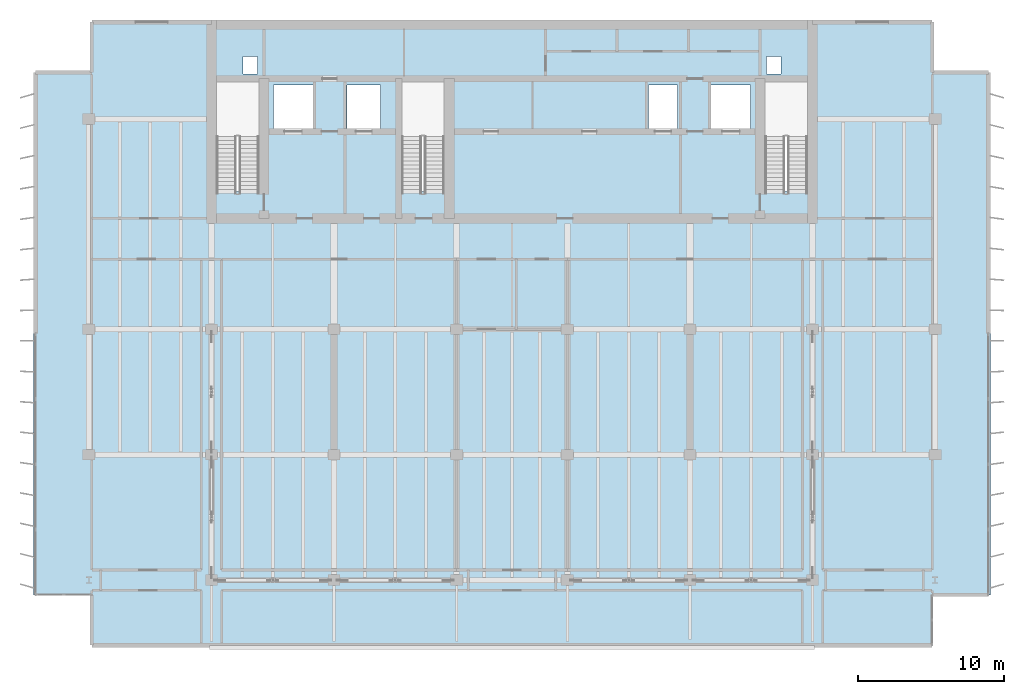
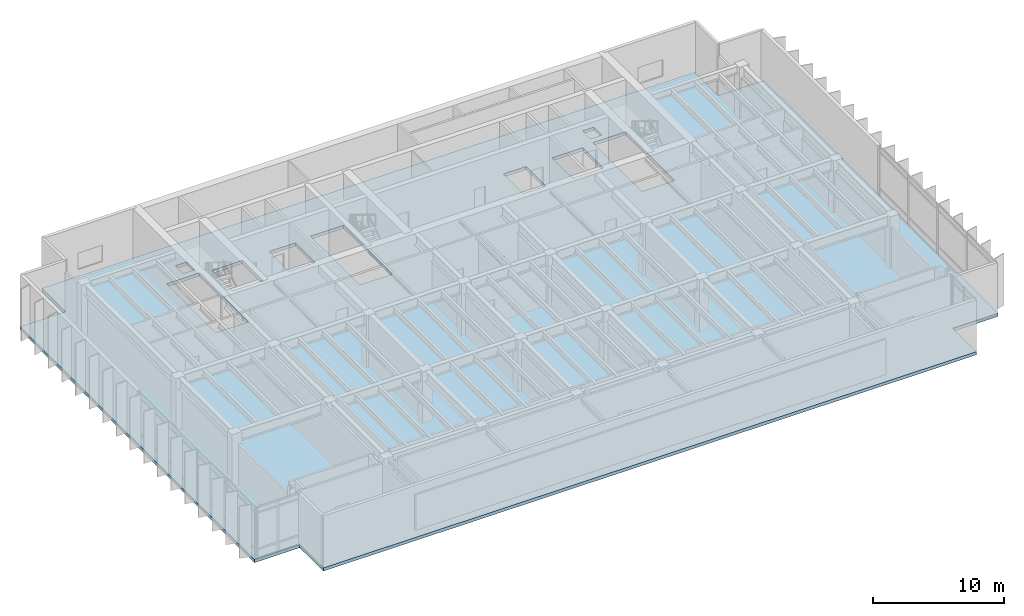
# One storey, part 12 of 23: 1 slab.
"""IFC4 building model written with IfcOpenShell, lengths in metres."""

from ifc_helpers import new_model, si_unit, direction, frame, origin, place, context, subcontext, project, spatial, polyline, outline, extrude, material, layer, layer_set, type_object, element, save


model = new_model("IFC4")

# Units and contexts
model_context = context("Model", 3, precision=1e-05, world=origin(), true_north=direction((0.0, 1.0)))
body_context = subcontext(model_context, "Body", "Model", "MODEL_VIEW")
ifc_project = project(units=[si_unit("LENGTHUNIT", "METRE"), si_unit("AREAUNIT", "SQUARE_METRE"), si_unit("VOLUMEUNIT", "CUBIC_METRE"), si_unit("PLANEANGLEUNIT", "RADIAN"), si_unit("MASSUNIT", "GRAM", prefix="KILO")], contexts=[model_context])

# Site, building, storey
site_placement = place(None, origin())
site = spatial("IfcSite", under=ifc_project, at=site_placement, CompositionType="ELEMENT")
building_placement = place(site_placement, origin())
building = spatial("IfcBuilding", under=site, at=building_placement, Name="Caelmar Bay Residences", CompositionType="ELEMENT")
storey_placement = place(building_placement, frame((0.0, 0.0, 221.39990234375)))
storey = spatial("IfcBuildingStorey", under=building, at=storey_placement, Name="L62", CompositionType="ELEMENT", Elevation=221.39990234375)

# Slab
ifc_material = material(Name="Concrete f'c 40 MPa (6,000 psi)", Category="concrete")
ifc_layer = layer(ifc_material, 0.300048828125)
ifc_layer_set = layer_set([ifc_layer], Name="Concrete f'c 40 MPa (6,000 psi)")
slab_type = type_object("IfcSlabType", Name="SLB-POD-300", PredefinedType="FLOOR", material=ifc_layer_set)
slab_placement = place(storey_placement, frame((0.0, 0.0, -0.2998046875)))
element("IfcSlab", 1, at=slab_placement, inside=storey, type_object=slab_type, Name="L62 Structural Floor Slab", PredefinedType="FLOOR", context=body_context, shape_type="SweptSolid", body=[
    extrude(outline(polyline([(10.10009765625, 7.60009765625), (67.699951171875, 7.60009765625), (67.699951171875, 11.199951171875), (71.699951171875, 11.199951171875), (71.699951171875, 47.0), (67.699951171875, 47.0), (67.699951171875, 50.60009765625), (10.10009765625, 50.60009765625), (10.10009765625, 47.0), (6.10009765625, 47.0), (6.10009765625, 11.199951171875), (10.10009765625, 11.199951171875), (10.10009765625, 7.60009765625)]), holes=[polyline([(18.64990234375, 38.85009765625), (21.550048828125, 38.85009765625), (21.550048828125, 46.35009765625), (18.64990234375, 46.35009765625), (18.64990234375, 38.85009765625)]), polyline([(56.25, 38.85009765625), (59.14990234375, 38.85009765625), (59.14990234375, 46.35009765625), (56.25, 46.35009765625), (56.25, 38.85009765625)]), polyline([(31.35009765625, 38.85009765625), (34.25, 38.85009765625), (34.25, 46.35009765625), (31.35009765625, 46.35009765625), (31.35009765625, 38.85009765625)]), polyline([(22.550048828125, 43.050048828125), (25.25, 43.050048828125), (25.25, 46.14990234375), (22.550048828125, 46.14990234375), (22.550048828125, 43.050048828125)]), polyline([(52.550048828125, 43.050048828125), (55.25, 43.050048828125), (55.25, 46.14990234375), (52.550048828125, 46.14990234375), (52.550048828125, 43.050048828125)]), polyline([(48.25, 43.14990234375), (50.25, 43.14990234375), (50.25, 46.14990234375), (48.25, 46.14990234375), (48.25, 43.14990234375)]), polyline([(27.60009765625, 43.14990234375), (29.89990234375, 43.14990234375), (29.89990234375, 46.14990234375), (27.60009765625, 46.14990234375), (27.60009765625, 43.14990234375)]), polyline([(20.449951171875, 46.89990234375), (21.449951171875, 46.89990234375), (21.449951171875, 48.10009765625), (20.449951171875, 48.10009765625), (20.449951171875, 46.89990234375)]), polyline([(56.35009765625, 46.89990234375), (57.35009765625, 46.89990234375), (57.35009765625, 48.10009765625), (56.35009765625, 48.10009765625), (56.35009765625, 46.89990234375)])]), origin(), (0.0, 0.0, 1.0), 0.2998046875),
])

save(model, "model.ifc")
